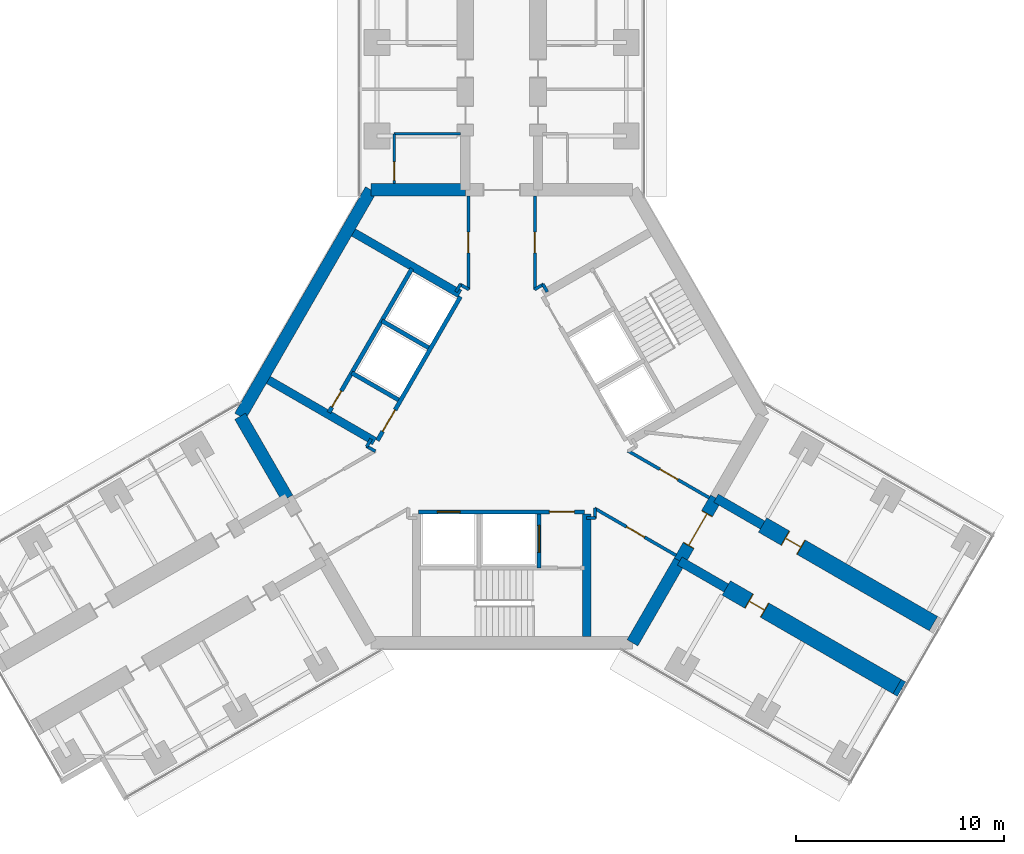
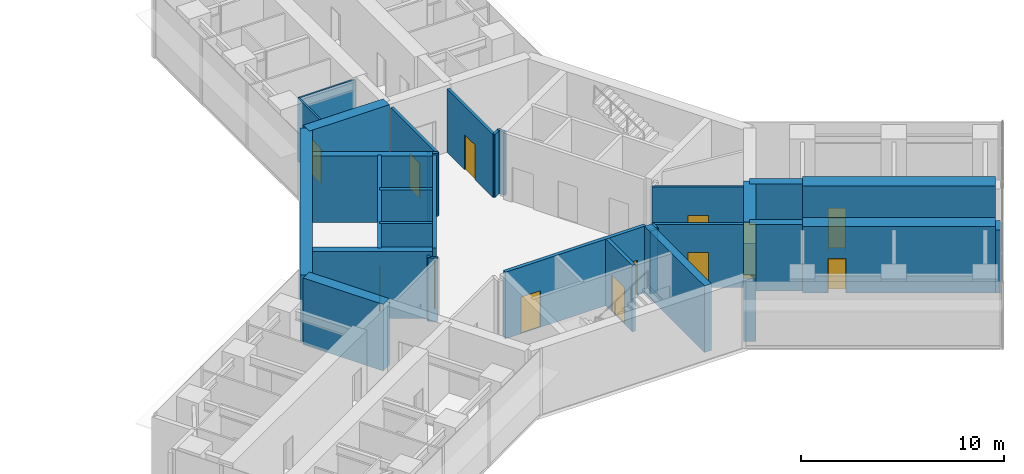
# One storey, part 19 of 23: 33 walls, 13 doors, 13 openings.
"""IFC4 building model written with IfcOpenShell, lengths in metres."""

import ifcopenshell
import ifcopenshell.guid

model = None  # the IFC model being written
_history = None  # IfcOwnerHistory: only IFC2X3 demands one
_inside = {}  # id of a spatial element -> (the spatial element, [elements in it])
_under = {}  # id of a project, library or spatial element -> (it, [spatial elements below it])
_declared = {}  # id of a project -> (the project, [libraries it declares])
_typed = {}  # id of a type object -> (the type object, [elements of that type])
_made_of = {}  # id of a material, layer set ... -> (it, [elements and type objects made of it])


def new_model(schema):
    """Start an empty IFC model of exactly this schema.

    Asked for "IFC4X3", IfcOpenShell would pick the latest addendum, in which some entities
    have other attributes; the version numbers below select the first issue.
    IFC2X3 requires an IfcOwnerHistory on every rooted entity: one is made here for all.
    """
    global model, _history
    if schema == "IFC4X3":
        model = ifcopenshell.file(schema_version=(4, 3, 0, 0))
    else:
        model = ifcopenshell.file(schema=schema)
    _inside.clear()
    _under.clear()
    _declared.clear()
    _typed.clear()
    _made_of.clear()
    _history = None
    if model.schema == "IFC2X3":
        org = make("IfcOrganization", Name="unknown")
        user = make(
            "IfcPersonAndOrganization",
            ThePerson=make("IfcPerson", FamilyName="unknown"),
            TheOrganization=org,
        )
        app = make(
            "IfcApplication",
            ApplicationDeveloper=org,
            Version="unknown",
            ApplicationFullName="unknown",
            ApplicationIdentifier="unknown",
        )
        _history = make(
            "IfcOwnerHistory",
            OwningUser=user,
            OwningApplication=app,
            ChangeAction="ADDED",
            CreationDate=0,
        )
    return model


def make(cls, **values):
    """One entity of the class cls with the attributes given. An attribute that is None is left unset."""
    return model.create_entity(
        cls, **{name: value for name, value in values.items() if value is not None}
    )


def rooted(cls, **values):
    """An entity with a GlobalId (a new one), such as an element, a storey or a relation."""
    return make(cls, GlobalId=ifcopenshell.guid.new(), OwnerHistory=_history, **values)


def si_unit(unit_type, name, prefix=None):
    """IfcSIUnit, for example si_unit("LENGTHUNIT", "METRE", prefix="MILLI")."""
    return make("IfcSIUnit", UnitType=unit_type, Prefix=prefix, Name=name)


def assignment(units):
    """IfcUnitAssignment: the units of a project."""
    return None if units is None else make("IfcUnitAssignment", Units=units)


def point(xyz):
    """IfcCartesianPoint."""
    return None if xyz is None else make("IfcCartesianPoint", Coordinates=xyz)


def direction(xyz):
    """IfcDirection."""
    return None if xyz is None else make("IfcDirection", DirectionRatios=xyz)


def frame(location, z_axis=None, x_axis=None):
    """IfcAxis2Placement3D, a coordinate frame: its origin and axes. An axis left out is left unset."""
    return make(
        "IfcAxis2Placement3D",
        Location=point(location),
        Axis=direction(z_axis),
        RefDirection=direction(x_axis),
    )


def frame_2d(location, x_axis=None):
    """IfcAxis2Placement2D, a coordinate frame in the plane: its origin and x axis."""
    return make(
        "IfcAxis2Placement2D", Location=point(location), RefDirection=direction(x_axis)
    )


def origin():
    """The frame at (0, 0, 0) with its axes left unset."""
    return frame((0.0, 0.0, 0.0))


def place(relative_to, where):
    """IfcLocalPlacement: puts the frame where relative to a parent placement (None: the world)."""
    return make(
        "IfcLocalPlacement", PlacementRelTo=relative_to, RelativePlacement=where
    )


def context(
    kind, dimensions, precision=None, world=None, true_north=None, identifier=None
):
    """IfcGeometricRepresentationContext, for example the 3D "Model" context."""
    return make(
        "IfcGeometricRepresentationContext",
        ContextIdentifier=identifier,
        ContextType=kind,
        CoordinateSpaceDimension=dimensions,
        Precision=precision,
        WorldCoordinateSystem=world,
        TrueNorth=true_north,
    )


def subcontext(parent, identifier, kind, view, scale=None):
    """IfcGeometricRepresentationSubContext, for example "Body" below "Model"."""
    return make(
        "IfcGeometricRepresentationSubContext",
        ContextIdentifier=identifier,
        ContextType=kind,
        ParentContext=parent,
        TargetScale=scale,
        TargetView=view,
    )


def project(units=None, contexts=None):
    """IfcProject with its units and contexts."""
    return rooted(
        "IfcProject",
        Name="project",
        RepresentationContexts=contexts,
        UnitsInContext=assignment(units),
    )


def spatial(cls, under=None, at=None, **own):
    """A site, building, storey or space (cls), placed at a placement, below another one or the project."""
    s = rooted(cls, ObjectPlacement=at, **own)
    if under is not None:
        _under.setdefault(under.id(), (under, []))[1].append(s)
    return s


def profile(cls, at=None, kind="AREA", **sizes):
    """A parametric profile (cls). Its sizes go by their IFC names, for example OverallWidth=200.0."""
    return make(cls, ProfileType=kind, Position=at, **sizes)


def rectangle(**sizes):
    """IfcRectangleProfileDef."""
    return profile("IfcRectangleProfileDef", **sizes)


def extrude(swept, where, along, depth):
    """IfcExtrudedAreaSolid: the profile swept, set in the frame where, extruded along a direction by depth."""
    return make(
        "IfcExtrudedAreaSolid",
        SweptArea=swept,
        Position=where,
        ExtrudedDirection=direction(along),
        Depth=depth,
    )


def shape(context_of_items, identifier, shape_type, items):
    """IfcShapeRepresentation: the items that make up one representation, for example the "Body"."""
    return make(
        "IfcShapeRepresentation",
        ContextOfItems=context_of_items,
        RepresentationIdentifier=identifier,
        RepresentationType=shape_type,
        Items=items,
    )


def material(Name=None, Category=None):
    """IfcMaterial."""
    return make("IfcMaterial", Name=Name, Category=Category)


def layer(
    of_material, thickness, ventilated=None, Name=None, Category=None, Priority=None
):
    """IfcMaterialLayer: one layer of a wall or slab, of a material (None: an air gap)."""
    return make(
        "IfcMaterialLayer",
        Material=of_material,
        LayerThickness=thickness,
        IsVentilated=ventilated,
        Name=Name,
        Category=Category,
        Priority=Priority,
    )


def layer_set(layers, Name=None):
    """IfcMaterialLayerSet."""
    return make("IfcMaterialLayerSet", MaterialLayers=layers, LayerSetName=Name)


def made_of(thing, what):
    """Note that an element or type object is made of a material, layer set ...; save() writes the relation."""
    if what is not None:
        _made_of.setdefault(what.id(), (what, []))[1].append(thing)
    return thing


def type_object(cls, material=None, **own):
    """A type object (cls), such as IfcWallType, which elements share."""
    return made_of(rooted(cls, **own), material)


def element(
    cls,
    number,
    at=None,
    inside=None,
    cuts=None,
    type_object=None,
    material=None,
    context=None,
    identifier="Body",
    shape_type=None,
    held_by="IfcProductDefinitionShape",
    body=None,
    shapes=None,
    **own,
):
    """One element of the class cls, such as IfcWall. Its Tag is "e" and its number.

    at: its placement. inside: the storey or other place that contains it. cuts: it is an
    opening in that element (IfcRelVoidsElement). A single representation is given by context,
    identifier, shape_type and body (its items); several are given by shapes. held_by: the class
    of the entity that holds the representations. save() writes the other relations.
    """
    e = rooted(cls, Tag="e%d" % number, ObjectPlacement=at, **own)
    if body is not None:
        shapes = [shape(context, identifier, shape_type, body)]
    if shapes is not None:
        e.Representation = make(held_by, Representations=shapes)
    if inside is not None:
        _inside.setdefault(inside.id(), (inside, []))[1].append(e)
    if cuts is not None:
        rooted(
            "IfcRelVoidsElement", RelatingBuildingElement=cuts, RelatedOpeningElement=e
        )
    if type_object is not None:
        _typed.setdefault(type_object.id(), (type_object, []))[1].append(e)
    return made_of(e, material)


def fill(opening, filler):
    """IfcRelFillsElement: the door or window that sits in an opening."""
    return rooted(
        "IfcRelFillsElement",
        RelatingOpeningElement=opening,
        RelatedBuildingElement=filler,
    )


def aggregate(whole, parts):
    """IfcRelAggregates: a whole, such as a stair, and the parts it consists of."""
    return rooted("IfcRelAggregates", RelatingObject=whole, RelatedObjects=parts)


def save(model, path):
    """Write the relations noted so far, then the file.

    IfcRelAggregates (storeys below a building ...), IfcRelContainedInSpatialStructure (elements
    in a storey), IfcRelDefinesByType, IfcRelAssociatesMaterial and IfcRelDeclares: one each for
    every whole, place, type object, material and project.
    """
    for whole, parts in _under.values():
        aggregate(whole, parts)
    for where, things in _inside.values():
        rooted(
            "IfcRelContainedInSpatialStructure",
            RelatedElements=things,
            RelatingStructure=where,
        )
    for kind, things in _typed.values():
        rooted("IfcRelDefinesByType", RelatedObjects=things, RelatingType=kind)
    for what, things in _made_of.values():
        rooted("IfcRelAssociatesMaterial", RelatedObjects=things, RelatingMaterial=what)
    for by, libraries in _declared.values():
        rooted("IfcRelDeclares", RelatingContext=by, RelatedDefinitions=libraries)
    model.write(path)


model = new_model("IFC4")

# Units and contexts
model_context = context("Model", 3, precision=1e-05, world=origin(), true_north=direction((0.0, 1.0)))
body_context = subcontext(model_context, "Body", "Model", "MODEL_VIEW")
ifc_project = project(units=[si_unit("LENGTHUNIT", "METRE"), si_unit("AREAUNIT", "SQUARE_METRE"), si_unit("VOLUMEUNIT", "CUBIC_METRE"), si_unit("PLANEANGLEUNIT", "RADIAN"), si_unit("MASSUNIT", "GRAM", prefix="KILO")], contexts=[model_context])

# Site, building, storey
site_placement = place(None, origin())
site = spatial("IfcSite", under=ifc_project, at=site_placement, CompositionType="ELEMENT")
building_placement = place(site_placement, origin())
building = spatial("IfcBuilding", under=site, at=building_placement, Name="Upepo Twin Towers", CompositionType="ELEMENT")
storey_placement = place(building_placement, frame((0.0, 0.0, 153.5)))
storey = spatial("IfcBuildingStorey", under=building, at=storey_placement, Name="L37", CompositionType="ELEMENT", Elevation=153.5)

# Walls
ifc_material_1 = material(Name="Dense concrete blockwork", Category="masonry")
ifc_layer_1 = layer(ifc_material_1, 0.800048828125)
ifc_layer_set_1 = layer_set([ifc_layer_1], Name="Buttress closer 800, blockwork with fire-stopping to the curtain wall")
wall_type_1 = type_object("IfcWallType", Name="Buttress closer 800, blockwork with fire-stopping to the curtain wall", PredefinedType="PARTITIONING", material=ifc_layer_set_1)
wall_1_placement = place(storey_placement, frame((77.543701171875, -31.015625, 0.0), z_axis=(0.0, 0.0, 1.0), x_axis=(0.865827443207, -0.500342721131, 0.0)))
element("IfcWall", 1, at=wall_1_placement, inside=storey, type_object=wall_type_1, Name="T2 L37 wing C buttress closer R", PredefinedType="PARTITIONING", context=body_context, shape_type="SweptSolid", body=[
    extrude(rectangle(XDim=0.249755859375, YDim=0.800048828125, at=frame_2d((0.125, 0.0))), origin(), (0.0, 0.0, 1.0), 3.800048828125),
])
ifc_material_2 = material(Name="Concrete C60/75", Category="concrete")
ifc_layer_2 = layer(ifc_material_2, 0.449951171875)
ifc_layer_set_2 = layer_set([ifc_layer_2], Name="Concrete C60/75")
wall_type_2 = type_object("IfcWallType", Name="Buttress wall 450 RC", PredefinedType="SHEAR", material=ifc_layer_set_2)
for number, where, z_axis, x_axis, name in (
    (2, (68.82177734375, -21.938720703125, 0.0), (0.0, 0.0, 1.0), (0.866072649678, -0.499918158782, 0.0), "T2 wing C buttress wall L"),
    (3, (67.07177734375, -24.9697265625, 0.0), (0.0, 0.0, 1.0), (0.866031863473, -0.499988811324, 0.0), "T2 wing C buttress wall R"),
):
    element("IfcWall", number, at=place(storey_placement, frame(where, z_axis=z_axis, x_axis=x_axis)), inside=storey, type_object=wall_type_2, Name=name, PredefinedType="SHEAR", context=body_context, shape_type="SweptSolid", body=[
        extrude(rectangle(XDim=2.591796875, YDim=0.449951171875, at=frame_2d((1.2958984375, 0.0))), origin(), (0.0, 0.0, 1.0), 4.0),
    ])

# Wall, opening, door
ifc_material_3 = material(Name="Concrete C60/75", Category="concrete")
ifc_layer_3 = layer(ifc_material_3, 0.800048828125)
ifc_layer_set_3 = layer_set([ifc_layer_3], Name="Concrete C60/75")
wall_type_3 = type_object("IfcWallType", Name="Buttress wall 800 RC", PredefinedType="SHEAR", material=ifc_layer_set_3)
wall_2_placement = place(storey_placement, frame((71.06640625, -23.234375, 0.0), z_axis=(0.0, 0.0, 1.0), x_axis=(0.86602681393, -0.499997557548, 0.0)))
wall_2 = element("IfcWall", 4, at=wall_2_placement, inside=storey, type_object=wall_type_3, Name="T2 wing C buttress wall L part 2", PredefinedType="SHEAR", context=body_context, shape_type="SweptSolid", body=[
    extrude(rectangle(XDim=9.5, YDim=0.800048828125, at=frame_2d((4.75, 0.0))), origin(), (0.0, 0.0, 1.0), 4.0),
])
opening_1_placement = place(wall_2_placement, frame((1.25, 0.0, 0.0)))
opening_1 = element("IfcOpeningElement", 5, at=opening_1_placement, cuts=wall_2, Name="Opening D14", PredefinedType="OPENING", context=body_context, shape_type="SweptSolid", body=[
    extrude(rectangle(XDim=0.89990234375, YDim=2.10009765625, at=frame_2d((0.449951171875, 1.050048828125))), frame((0.0, 0.409912109375, 0.0), z_axis=(0.0, -1.0, 0.0), x_axis=(1.0, 0.0, 0.0)), (0.0, 0.0, 1.0), 0.820068359375),
])
ifc_material_4 = material(Name="Timber doorset", Category="wood")
door_type_1 = type_object("IfcDoorType", Name="Office door 900 FD30", OperationType="SINGLE_SWING_LEFT", PredefinedType="DOOR", material=ifc_material_4)
door_1_placement = place(opening_1_placement, origin())
door_1 = element("IfcDoor", 6, at=door_1_placement, inside=storey, type_object=door_type_1, Name="T2 L37 staff office door", OperationType="SINGLE_SWING_LEFT", OverallHeight=2.10009765625, OverallWidth=0.89990234375, PredefinedType="DOOR", context=body_context, shape_type="SweptSolid", body=[
    extrude(rectangle(XDim=0.81990234375, YDim=2.06009765625, at=frame_2d((0.449951171875, 1.030029296875))), frame((0.0, 0.02490234375, 0.0), z_axis=(0.0, -1.0, 0.0), x_axis=(1.0, 0.0, 0.0)), (0.0, 0.0, 1.0), 0.050048828125),
    extrude(rectangle(XDim=0.04, YDim=2.10009765625, at=frame_2d((0.02001953125, 1.050048828125))), frame((0.0, 0.39990234375, 0.0), z_axis=(0.0, -1.0, 0.0), x_axis=(1.0, 0.0, 0.0)), (0.0, 0.0, 1.0), 0.799560546875),
    extrude(rectangle(XDim=0.04, YDim=2.10009765625, at=frame_2d((0.8798828125, 1.050048828125))), frame((0.0, 0.39990234375, 0.0), z_axis=(0.0, -1.0, 0.0), x_axis=(1.0, 0.0, 0.0)), (0.0, 0.0, 1.0), 0.799560546875),
    extrude(rectangle(XDim=0.81990234375, YDim=0.04, at=frame_2d((0.449951171875, 2.080078125))), frame((0.0, 0.39990234375, 0.0), z_axis=(0.0, -1.0, 0.0), x_axis=(1.0, 0.0, 0.0)), (0.0, 0.0, 1.0), 0.799560546875),
])
fill(opening_1, door_1)

wall_3_placement = place(storey_placement, frame((69.31640625, -26.265625, 0.0), z_axis=(0.0, 0.0, 1.0), x_axis=(0.86602681393, -0.499997557548, 0.0)))
wall_3 = element("IfcWall", 7, at=wall_3_placement, inside=storey, type_object=wall_type_3, Name="T2 wing C buttress wall R part 2", PredefinedType="SHEAR", context=body_context, shape_type="SweptSolid", body=[
    extrude(rectangle(XDim=9.5, YDim=0.800048828125, at=frame_2d((4.75, 0.0))), origin(), (0.0, 0.0, 1.0), 4.0),
])
opening_2_placement = place(wall_3_placement, frame((1.25, 0.0, 0.0)))
opening_2 = element("IfcOpeningElement", 8, at=opening_2_placement, cuts=wall_3, Name="Opening D14", PredefinedType="OPENING", context=body_context, shape_type="SweptSolid", body=[
    extrude(rectangle(XDim=0.89990234375, YDim=2.10009765625, at=frame_2d((0.449951171875, 1.050048828125))), frame((0.0, 0.409912109375, 0.0), z_axis=(0.0, -1.0, 0.0), x_axis=(1.0, 0.0, 0.0)), (0.0, 0.0, 1.0), 0.820068359375),
])
door_2_placement = place(opening_2_placement, origin())
door_2 = element("IfcDoor", 9, at=door_2_placement, inside=storey, type_object=door_type_1, Name="T2 L37 staff office door", OperationType="SINGLE_SWING_LEFT", OverallHeight=2.10009765625, OverallWidth=0.89990234375, PredefinedType="DOOR", context=body_context, shape_type="SweptSolid", body=[
    extrude(rectangle(XDim=0.81990234375, YDim=2.06009765625, at=frame_2d((0.449951171875, 1.030029296875))), frame((0.0, 0.02490234375, 0.0), z_axis=(0.0, -1.0, 0.0), x_axis=(1.0, 0.0, 0.0)), (0.0, 0.0, 1.0), 0.050048828125),
    extrude(rectangle(XDim=0.04, YDim=2.10009765625, at=frame_2d((0.02001953125, 1.050048828125))), frame((0.0, 0.39990234375, 0.0), z_axis=(0.0, -1.0, 0.0), x_axis=(1.0, 0.0, 0.0)), (0.0, 0.0, 1.0), 0.799560546875),
    extrude(rectangle(XDim=0.04, YDim=2.10009765625, at=frame_2d((0.8798828125, 1.050048828125))), frame((0.0, 0.39990234375, 0.0), z_axis=(0.0, -1.0, 0.0), x_axis=(1.0, 0.0, 0.0)), (0.0, 0.0, 1.0), 0.799560546875),
    extrude(rectangle(XDim=0.81990234375, YDim=0.04, at=frame_2d((0.449951171875, 2.080078125))), frame((0.0, 0.39990234375, 0.0), z_axis=(0.0, -1.0, 0.0), x_axis=(1.0, 0.0, 0.0)), (0.0, 0.0, 1.0), 0.799560546875),
])
fill(opening_2, door_2)

# Walls
ifc_material_5 = material(Name="Concrete C60/75", Category="concrete")
ifc_layer_4 = layer(ifc_material_5, 0.60009765625)
ifc_layer_set_4 = layer_set([ifc_layer_4], Name="Concrete C60/75")
wall_type_4 = type_object("IfcWallType", Name="Core wall 600 RC", PredefinedType="SHEAR", material=ifc_layer_set_4)
wall_4_placement = place(storey_placement, frame((56.75, -7.091552734375, 0.0), z_axis=(0.0, 0.0, 1.0), x_axis=(-1.0, 0.0, 0.0)))
element("IfcWall", 10, at=wall_4_placement, inside=storey, type_object=wall_type_4, Name="T2 core wall 000 L", PredefinedType="SHEAR", context=body_context, shape_type="SweptSolid", body=[
    extrude(rectangle(XDim=4.5478515625, YDim=0.60009765625, at=frame_2d((2.27392578125, 0.0))), origin(), (0.0, 0.0, 1.0), 4.0),
])
wall_5_placement = place(storey_placement, frame((52.2021484375, -7.091552734375, 0.0), z_axis=(0.0, 0.0, 1.0), x_axis=(-0.500005998175, -0.866021940709, 0.0)))
element("IfcWall", 11, at=wall_5_placement, inside=storey, type_object=wall_type_4, Name="T2 core wall 060", PredefinedType="SHEAR", context=body_context, shape_type="SweptSolid", body=[
    extrude(rectangle(XDim=12.595947265625, YDim=0.60009765625, at=frame_2d((6.2978515625, 0.0))), origin(), (0.0, 0.0, 1.0), 4.0),
])
for number, where, z_axis, x_axis, name in (
    (12, (45.904052734375, -18.0, 0.0), (0.0, 0.0, 1.0), (0.500024481964, -0.866011268655, 0.0), "T2 core wall 120 R"),
    (13, (64.7978515625, -28.908447265625, 0.0), (0.0, 0.0, 1.0), (0.499984222037, 0.866034513004, 0.0), "T2 core wall 240 R"),
):
    element("IfcWall", number, at=place(storey_placement, frame(where, z_axis=z_axis, x_axis=x_axis)), inside=storey, type_object=wall_type_4, Name=name, PredefinedType="SHEAR", context=body_context, shape_type="SweptSolid", body=[
        extrude(rectangle(XDim=4.548095703125, YDim=0.60009765625, at=frame_2d((2.27392578125, 0.0))), origin(), (0.0, 0.0, 1.0), 4.0),
    ])

# Wall, opening, door
wall_6_placement = place(storey_placement, frame((67.07177734375, -24.9697265625, 0.0), z_axis=(0.0, 0.0, 1.0), x_axis=(0.500010275428, 0.866019471182, 0.0)))
wall_6 = element("IfcWall", 14, at=wall_6_placement, inside=storey, type_object=wall_type_4, Name="T2 core wall 240", PredefinedType="SHEAR", context=body_context, shape_type="SweptSolid", body=[
    extrude(rectangle(XDim=3.5, YDim=0.60009765625, at=frame_2d((1.75, 0.0))), origin(), (0.0, 0.0, 1.0), 4.0),
])
opening_3_placement = place(wall_6_placement, frame((0.85009765625, 0.0, 0.0)))
opening_3 = element("IfcOpeningElement", 15, at=opening_3_placement, cuts=wall_6, Name="Opening D2", PredefinedType="OPENING", context=body_context, shape_type="SweptSolid", body=[
    extrude(rectangle(XDim=1.800048828125, YDim=2.10009765625, at=frame_2d((0.89990234375, 1.050048828125))), frame((0.0, 0.31005859375, 0.0), z_axis=(0.0, -1.0, 0.0), x_axis=(1.0, 0.0, 0.0)), (0.0, 0.0, 1.0), 0.6201171875),
])
ifc_material_6 = material(Name="Timber doorset", Category="wood")
door_type_2 = type_object("IfcDoorType", Name="Corridor double door 1800 FD60", OperationType="DOUBLE_DOOR_DOUBLE_SWING", PredefinedType="DOOR", material=ifc_material_6)
door_3_placement = place(opening_3_placement, origin())
door_3 = element("IfcDoor", 16, at=door_3_placement, inside=storey, type_object=door_type_2, Name="T2 L37 wing C corridor door", OperationType="DOUBLE_DOOR_DOUBLE_SWING", OverallHeight=2.10009765625, OverallWidth=1.800048828125, PredefinedType="DOOR", context=body_context, shape_type="SweptSolid", body=[
    extrude(rectangle(XDim=1.720048828125, YDim=2.06009765625, at=frame_2d((0.89990234375, 1.030029296875))), frame((0.0, 0.02490234375, 0.0), z_axis=(0.0, -1.0, 0.0), x_axis=(1.0, 0.0, 0.0)), (0.0, 0.0, 1.0), 0.050048828125),
    extrude(rectangle(XDim=0.04, YDim=2.10009765625, at=frame_2d((0.02001953125, 1.050048828125))), frame((0.0, 0.2998046875, 0.0), z_axis=(0.0, -1.0, 0.0), x_axis=(1.0, 0.0, 0.0)), (0.0, 0.0, 1.0), 0.599609375),
    extrude(rectangle(XDim=0.04, YDim=2.10009765625, at=frame_2d((1.780029296875, 1.050048828125))), frame((0.0, 0.2998046875, 0.0), z_axis=(0.0, -1.0, 0.0), x_axis=(1.0, 0.0, 0.0)), (0.0, 0.0, 1.0), 0.599609375),
    extrude(rectangle(XDim=1.720048828125, YDim=0.04, at=frame_2d((0.89990234375, 2.080078125))), frame((0.0, 0.2998046875, 0.0), z_axis=(0.0, -1.0, 0.0), x_axis=(1.0, 0.0, 0.0)), (0.0, 0.0, 1.0), 0.599609375),
])
fill(opening_3, door_3)

ifc_material_7 = material(Name="Gypsum board on steel studs", Category="steel")
ifc_layer_5 = layer(ifc_material_7, 0.10009765625)
ifc_layer_set_5 = layer_set([ifc_layer_5], Name="Office partition 100 stud")
wall_type_5 = type_object("IfcWallType", Name="Office partition 100 stud", PredefinedType="PARTITIONING", material=ifc_layer_set_5)
wall_7_placement = place(storey_placement, frame((53.324951171875, -6.7919921875, 0.0), z_axis=(0.0, 0.0, 1.0), x_axis=(0.0, 1.0, 0.0)))
wall_7 = element("IfcWall", 17, at=wall_7_placement, inside=storey, type_object=wall_type_5, Name="T2 WC bay partition AL at 11.21", PredefinedType="PARTITIONING", context=body_context, shape_type="SweptSolid", body=[
    extrude(rectangle(XDim=2.39990234375, YDim=0.10009765625, at=frame_2d((1.199951171875, 0.0))), origin(), (0.0, 0.0, 1.0), 3.800048828125),
])
opening_4_placement = place(wall_7_placement, frame((0.14990234375, 0.0, 0.0)))
opening_4 = element("IfcOpeningElement", 18, at=opening_4_placement, cuts=wall_7, Name="Opening D14", PredefinedType="OPENING", context=body_context, shape_type="SweptSolid", body=[
    extrude(rectangle(XDim=0.89990234375, YDim=2.10009765625, at=frame_2d((0.449951171875, 1.050048828125))), frame((0.0, 0.06005859375, 0.0), z_axis=(0.0, -1.0, 0.0), x_axis=(1.0, 0.0, 0.0)), (0.0, 0.0, 1.0), 0.1201171875),
])
door_4_placement = place(opening_4_placement, origin())
door_4 = element("IfcDoor", 19, at=door_4_placement, inside=storey, type_object=door_type_1, Name="T2 L37 WC bay inner room door", OperationType="SINGLE_SWING_LEFT", OverallHeight=2.10009765625, OverallWidth=0.89990234375, PredefinedType="DOOR", context=body_context, shape_type="SweptSolid", body=[
    extrude(rectangle(XDim=0.89990234375, YDim=2.10009765625, at=frame_2d((0.449951171875, 1.050048828125))), frame((0.0, 0.02490234375, 0.0), z_axis=(0.0, -1.0, 0.0), x_axis=(1.0, 0.0, 0.0)), (0.0, 0.0, 1.0), 0.050048828125),
])
fill(opening_4, door_4)

# Wall
wall_8_placement = place(storey_placement, frame((56.52490234375, -4.39208984375, 0.0), z_axis=(0.0, 0.0, 1.0), x_axis=(-1.0, 0.0, 0.0)))
element("IfcWall", 20, at=wall_8_placement, inside=storey, type_object=wall_type_5, Name="T2 WC bay partition AL end at 13.61", PredefinedType="PARTITIONING", context=body_context, shape_type="SweptSolid", body=[
    extrude(rectangle(XDim=3.199951171875, YDim=0.10009765625, at=frame_2d((1.60009765625, 0.0))), origin(), (0.0, 0.0, 1.0), 3.800048828125),
])

# Wall, opening, door
ifc_material_8 = material(Name="Concrete C40/50", Category="concrete")
ifc_layer_6 = layer(ifc_material_8, 0.199951171875)
ifc_layer_set_6 = layer_set([ifc_layer_6], Name="Concrete C40/50")
wall_type_6 = type_object("IfcWallType", Name="Shaft wall 200 RC", PredefinedType="SHEAR", material=ifc_layer_set_6)
wall_9_placement = place(storey_placement, frame((56.516357421875, -12.23583984375, 0.0), z_axis=(0.0, 0.0, 1.0), x_axis=(-0.49999894854, -0.866026010844, 0.0)))
wall_9 = element("IfcWall", 21, at=wall_9_placement, inside=storey, type_object=wall_type_6, Name="T2 core W60 front wall", PredefinedType="SHEAR", context=body_context, shape_type="SweptSolid", body=[
    extrude(rectangle(XDim=8.0, YDim=0.199951171875, at=frame_2d((4.0, 0.0))), origin(), (0.0, 0.0, 1.0), 4.0),
])
opening_5_placement = place(wall_9_placement, frame((6.300048828125, 0.0, 0.0)))
opening_5 = element("IfcOpeningElement", 22, at=opening_5_placement, cuts=wall_9, Name="Opening D4", PredefinedType="OPENING", context=body_context, shape_type="SweptSolid", body=[
    extrude(rectangle(XDim=1.199951171875, YDim=2.10009765625, at=frame_2d((0.60009765625, 1.050048828125))), frame((0.0, 0.10986328125, 0.0), z_axis=(0.0, -1.0, 0.0), x_axis=(1.0, 0.0, 0.0)), (0.0, 0.0, 1.0), 0.219970703125),
])
ifc_material_9 = material(Name="Timber doorset", Category="wood")
door_type_3 = type_object("IfcDoorType", Name="Lobby door 1200 FD60", OperationType="SINGLE_SWING_LEFT", PredefinedType="DOOR", material=ifc_material_9)
door_5_placement = place(opening_5_placement, origin())
door_5 = element("IfcDoor", 23, at=door_5_placement, inside=storey, type_object=door_type_3, Name="T2 L37 W60 lobby door", OperationType="SINGLE_SWING_RIGHT", OverallHeight=2.10009765625, OverallWidth=1.199951171875, PredefinedType="DOOR", context=body_context, shape_type="SweptSolid", body=[
    extrude(rectangle(XDim=1.199951171875, YDim=2.10009765625, at=frame_2d((0.60009765625, 1.050048828125))), frame((0.0, 0.02490234375, 0.0), z_axis=(0.0, -1.0, 0.0), x_axis=(1.0, 0.0, 0.0)), (0.0, 0.0, 1.0), 0.050048828125),
])
fill(opening_5, door_5)

# Walls
for number, where, z_axis, x_axis, name in (
    (24, (54.979736328125, -14.697265625, 0.0), (0.0, 0.0, 1.0), (-0.866062058628, 0.499936506574, 0.0), "T2 core W60 shaft divider"),
    (25, (53.52978515625, -17.208740234375, 0.0), (0.0, 0.0, 1.0), (-0.866062058628, 0.499936506574, 0.0), "T2 core W60 lobby wall"),
):
    element("IfcWall", number, at=place(storey_placement, frame(where, z_axis=z_axis, x_axis=x_axis)), inside=storey, type_object=wall_type_6, Name=name, PredefinedType="SHEAR", context=body_context, shape_type="SweptSolid", body=[
        extrude(rectangle(XDim=2.599853515625, YDim=0.199951171875, at=frame_2d((1.2998046875, 0.0))), origin(), (0.0, 0.0, 1.0), 4.0),
    ])

# Wall, opening, door
wall_10_placement = place(storey_placement, frame((54.177978515625, -10.885986328125, 0.0), z_axis=(0.0, 0.0, 1.0), x_axis=(-0.49999894854, -0.866026010844, 0.0)))
wall_10 = element("IfcWall", 26, at=wall_10_placement, inside=storey, type_object=wall_type_6, Name="T2 core W60 stair wall", PredefinedType="SHEAR", context=body_context, shape_type="SweptSolid", body=[
    extrude(rectangle(XDim=8.0, YDim=0.199951171875, at=frame_2d((4.0, 0.0))), origin(), (0.0, 0.0, 1.0), 4.0),
])
opening_6_placement = place(wall_10_placement, frame((6.800048828125, 0.0, 0.0)))
opening_6 = element("IfcOpeningElement", 27, at=opening_6_placement, cuts=wall_10, Name="Opening D9", PredefinedType="OPENING", context=body_context, shape_type="SweptSolid", body=[
    extrude(rectangle(XDim=0.89990234375, YDim=2.10009765625, at=frame_2d((0.449951171875, 1.050048828125))), frame((0.0, 0.10986328125, 0.0), z_axis=(0.0, -1.0, 0.0), x_axis=(1.0, 0.0, 0.0)), (0.0, 0.0, 1.0), 0.219970703125),
])
ifc_material_10 = material(Name="Timber doorset", Category="wood")
door_type_4 = type_object("IfcDoorType", Name="Riser door 900 FD60", OperationType="SINGLE_SWING_LEFT", PredefinedType="DOOR", material=ifc_material_10)
door_6_placement = place(opening_6_placement, origin())
door_6 = element("IfcDoor", 28, at=door_6_placement, inside=storey, type_object=door_type_4, Name="T2 L37 riser door", OperationType="SINGLE_SWING_RIGHT", OverallHeight=2.10009765625, OverallWidth=0.89990234375, PredefinedType="DOOR", context=body_context, shape_type="SweptSolid", body=[
    extrude(rectangle(XDim=0.89990234375, YDim=2.10009765625, at=frame_2d((0.449951171875, 1.050048828125))), frame((0.0, 0.02490234375, 0.0), z_axis=(0.0, -1.0, 0.0), x_axis=(1.0, 0.0, 0.0)), (0.0, 0.0, 1.0), 0.050048828125),
])
fill(opening_6, door_6)

# Wall, openings, doors
wall_11_placement = place(storey_placement, frame((54.5, -22.60009765625, 0.0), z_axis=(0.0, 0.0, 1.0), x_axis=(1.0, 0.0, 0.0)))
wall_11 = element("IfcWall", 29, at=wall_11_placement, inside=storey, type_object=wall_type_6, Name="T2 core W180 front wall", PredefinedType="SHEAR", context=body_context, shape_type="SweptSolid", body=[
    extrude(rectangle(XDim=8.0, YDim=0.199951171875, at=frame_2d((4.0, 0.0))), origin(), (0.0, 0.0, 1.0), 4.0),
])
opening_7_placement = place(wall_11_placement, frame((6.300048828125, 0.0, 0.0)))
opening_7 = element("IfcOpeningElement", 30, at=opening_7_placement, cuts=wall_11, Name="Opening D4", PredefinedType="OPENING", context=body_context, shape_type="SweptSolid", body=[
    extrude(rectangle(XDim=1.199951171875, YDim=2.10009765625, at=frame_2d((0.60009765625, 1.050048828125))), frame((0.0, 0.10986328125, 0.0), z_axis=(0.0, -1.0, 0.0), x_axis=(1.0, 0.0, 0.0)), (0.0, 0.0, 1.0), 0.219970703125),
])
opening_8_placement = place(wall_11_placement, frame((0.89990234375, 0.0, 0.0)))
opening_8 = element("IfcOpeningElement", 31, at=opening_8_placement, cuts=wall_11, Name="Opening LD1", PredefinedType="OPENING", context=body_context, shape_type="SweptSolid", body=[
    extrude(rectangle(XDim=1.10009765625, YDim=2.199951171875, at=frame_2d((0.550048828125, 1.10009765625))), frame((0.0, 0.10986328125, 0.0), z_axis=(0.0, -1.0, 0.0), x_axis=(1.0, 0.0, 0.0)), (0.0, 0.0, 1.0), 0.219970703125),
])
ifc_material_11 = material(Name="Steel doorset", Category="steel")
door_type_5 = type_object("IfcDoorType", Name="Lift landing door 1100", OperationType="DOUBLE_DOOR_SLIDING", PredefinedType="DOOR", material=ifc_material_11)
door_7_placement = place(opening_8_placement, origin())
door_7 = element("IfcDoor", 32, at=door_7_placement, inside=storey, type_object=door_type_5, Name="T2 L37 lift SV1 landing door", OperationType="DOUBLE_DOOR_SLIDING", OverallHeight=2.199951171875, OverallWidth=1.10009765625, PredefinedType="DOOR", context=body_context, shape_type="SweptSolid", body=[
    extrude(rectangle(XDim=1.10009765625, YDim=2.199951171875, at=frame_2d((0.550048828125, 1.10009765625))), frame((0.0, 0.02490234375, 0.0), z_axis=(0.0, -1.0, 0.0), x_axis=(1.0, 0.0, 0.0)), (0.0, 0.0, 1.0), 0.050048828125),
])
fill(opening_8, door_7)
door_8_placement = place(opening_7_placement, origin())
door_8 = element("IfcDoor", 33, at=door_8_placement, inside=storey, type_object=door_type_3, Name="T2 L37 W180 lobby door", OperationType="SINGLE_SWING_RIGHT", OverallHeight=2.10009765625, OverallWidth=1.199951171875, PredefinedType="DOOR", context=body_context, shape_type="SweptSolid", body=[
    extrude(rectangle(XDim=1.199951171875, YDim=2.10009765625, at=frame_2d((0.60009765625, 1.050048828125))), frame((0.0, 0.02490234375, 0.0), z_axis=(0.0, -1.0, 0.0), x_axis=(1.0, 0.0, 0.0)), (0.0, 0.0, 1.0), 0.050048828125),
])
fill(opening_7, door_8)

# Wall, opening, door
wall_12_placement = place(storey_placement, frame((60.300048828125, -22.699951171875, 0.0), z_axis=(0.0, 0.0, 1.0), x_axis=(0.0, -1.0, 0.0)))
wall_12 = element("IfcWall", 34, at=wall_12_placement, inside=storey, type_object=wall_type_6, Name="T2 core W180 lobby wall", PredefinedType="SHEAR", context=body_context, shape_type="SweptSolid", body=[
    extrude(rectangle(XDim=2.60009765625, YDim=0.199951171875, at=frame_2d((1.300048828125, 0.0))), origin(), (0.0, 0.0, 1.0), 4.0),
])
opening_9_placement = place(wall_12_placement, frame((0.550048828125, 0.0, 0.0)))
opening_9 = element("IfcOpeningElement", 35, at=opening_9_placement, cuts=wall_12, Name="Opening LD2", PredefinedType="OPENING", context=body_context, shape_type="SweptSolid", body=[
    extrude(rectangle(XDim=1.300048828125, YDim=2.199951171875, at=frame_2d((0.64990234375, 1.10009765625))), frame((0.0, 0.10986328125, 0.0), z_axis=(0.0, -1.0, 0.0), x_axis=(1.0, 0.0, 0.0)), (0.0, 0.0, 1.0), 0.219970703125),
])
ifc_material_12 = material(Name="Steel doorset", Category="steel")
door_type_6 = type_object("IfcDoorType", Name="Firefighting lift landing door 1300", OperationType="DOUBLE_DOOR_SLIDING", PredefinedType="DOOR", material=ifc_material_12)
door_9_placement = place(opening_9_placement, origin())
door_9 = element("IfcDoor", 36, at=door_9_placement, inside=storey, type_object=door_type_6, Name="T2 L37 firefighting lift landing door", OperationType="DOUBLE_DOOR_SLIDING", OverallHeight=2.199951171875, OverallWidth=1.300048828125, PredefinedType="DOOR", context=body_context, shape_type="SweptSolid", body=[
    extrude(rectangle(XDim=1.300048828125, YDim=2.199951171875, at=frame_2d((0.64990234375, 1.10009765625))), frame((0.0, 0.02490234375, 0.0), z_axis=(0.0, -1.0, 0.0), x_axis=(1.0, 0.0, 0.0)), (0.0, 0.0, 1.0), 0.050048828125),
])
fill(opening_9, door_9)

# Walls
ifc_material_13 = material(Name="Concrete C40/50", Category="concrete")
ifc_layer_7 = layer(ifc_material_13, 0.39990234375)
ifc_layer_set_7 = layer_set([ifc_layer_7], Name="Concrete C40/50")
wall_type_7 = type_object("IfcWallType", Name="Shaft wall 400 RC", PredefinedType="SHEAR", material=ifc_layer_set_7)
wall_13_placement = place(storey_placement, frame((52.379638671875, -19.20068359375, 0.0), z_axis=(0.0, 0.0, 1.0), x_axis=(-0.866027317282, 0.49999668571, 0.0)))
element("IfcWall", 37, at=wall_13_placement, inside=storey, type_object=wall_type_7, Name="T2 core W60 side wall N", PredefinedType="SHEAR", context=body_context, shape_type="SweptSolid", body=[
    extrude(rectangle(XDim=5.908203125, YDim=0.39990234375, at=frame_2d((2.9541015625, 0.0))), origin(), (0.0, 0.0, 1.0), 4.0),
])
for number, where, z_axis, x_axis, name in (
    (38, (56.479736328125, -12.099365234375, 0.0), (0.0, 0.0, 1.0), (-0.866009424208, 0.500027676417, 0.0), "T2 core W60 side wall S"),
    (39, (62.60009765625, -22.699951171875, 0.0), (0.0, 0.0, 1.0), (0.0, -1.0, 0.0), "T2 core W180 side wall N"),
):
    element("IfcWall", number, at=place(storey_placement, frame(where, z_axis=z_axis, x_axis=x_axis)), inside=storey, type_object=wall_type_7, Name=name, PredefinedType="SHEAR", context=body_context, shape_type="SweptSolid", body=[
        extrude(rectangle(XDim=5.908447265625, YDim=0.39990234375, at=frame_2d((2.9541015625, 0.0))), origin(), (0.0, 0.0, 1.0), 4.0),
    ])
ifc_material_14 = material(Name="Gypsum board on steel studs", Category="steel")
ifc_layer_8 = layer(ifc_material_14, 0.14990234375)
ifc_layer_set_8 = layer_set([ifc_layer_8], Name="Teaching partition 150 acoustic")
wall_type_8 = type_object("IfcWallType", Name="Teaching partition 150 acoustic", PredefinedType="PARTITIONING", material=ifc_layer_set_8)
wall_14_placement = place(storey_placement, frame((52.417236328125, -19.684326171875, 0.0), z_axis=(0.0, 0.0, 1.0), x_axis=(-0.865831790172, 0.50033519877, 0.0)))
element("IfcWall", 40, at=wall_14_placement, inside=storey, type_object=wall_type_8, Name="T2 core room partition 4", PredefinedType="PARTITIONING", context=body_context, shape_type="SweptSolid", body=[
    extrude(rectangle(XDim=0.494384765625, YDim=0.14990234375, at=frame_2d((0.2470703125, 0.0))), origin(), (0.0, 0.0, 1.0), 3.800048828125),
])
for number, where, z_axis, x_axis, name in (
    (41, (51.99658203125, -19.46435546875, 0.0), (0.0, 0.0, 1.0), (0.499804398801, 0.866138304741, 0.0), "T2 core room partition 5"),
    (42, (56.301513671875, -12.0078125, 0.0), (0.0, 0.0, 1.0), (0.500230298122, 0.865892400268, 0.0), "T2 core room partition 6"),
):
    element("IfcWall", number, at=place(storey_placement, frame(where, z_axis=z_axis, x_axis=x_axis)), inside=storey, type_object=wall_type_8, Name=name, PredefinedType="PARTITIONING", context=body_context, shape_type="SweptSolid", body=[
        extrude(rectangle(XDim=0.429931640625, YDim=0.14990234375, at=frame_2d((0.21484375, 0.0))), origin(), (0.0, 0.0, 1.0), 3.800048828125),
    ])
wall_15_placement = place(storey_placement, frame((56.4892578125, -11.642822265625, 0.0), z_axis=(0.0, 0.0, 1.0), x_axis=(0.865831790172, -0.50033519877, 0.0)))
element("IfcWall", 43, at=wall_15_placement, inside=storey, type_object=wall_type_8, Name="T2 core room partition 7", PredefinedType="PARTITIONING", context=body_context, shape_type="SweptSolid", body=[
    extrude(rectangle(XDim=0.494384765625, YDim=0.14990234375, at=frame_2d((0.2470703125, 0.0))), origin(), (0.0, 0.0, 1.0), 3.800048828125),
])

# Wall, opening, door
wall_16_placement = place(storey_placement, frame((56.89990234375, -11.900146484375, 0.0), z_axis=(0.0, 0.0, 1.0), x_axis=(0.0, 1.0, 0.0)))
wall_16 = element("IfcWall", 44, at=wall_16_placement, inside=storey, type_object=wall_type_8, Name="T2 core room partition 8", PredefinedType="PARTITIONING", context=body_context, shape_type="SweptSolid", body=[
    extrude(rectangle(XDim=4.5185546875, YDim=0.14990234375, at=frame_2d((2.25927734375, 0.0))), origin(), (0.0, 0.0, 1.0), 3.800048828125),
])
opening_10_placement = place(wall_16_placement, frame((1.769287109375, 0.0, 0.0)))
opening_10 = element("IfcOpeningElement", 45, at=opening_10_placement, cuts=wall_16, Name="Opening D1", PredefinedType="OPENING", context=body_context, shape_type="SweptSolid", body=[
    extrude(rectangle(XDim=1.0, YDim=2.10009765625, at=frame_2d((0.5, 1.050048828125))), frame((0.0, 0.0849609375, 0.0), z_axis=(0.0, -1.0, 0.0), x_axis=(1.0, 0.0, 0.0)), (0.0, 0.0, 1.0), 0.169921875),
])
ifc_material_15 = material(Name="Timber doorset", Category="wood")
door_type_7 = type_object("IfcDoorType", Name="Room door 1000 FD30", OperationType="SINGLE_SWING_LEFT", PredefinedType="DOOR", material=ifc_material_15)
door_10_placement = place(opening_10_placement, origin())
door_10 = element("IfcDoor", 46, at=door_10_placement, inside=storey, type_object=door_type_7, Name="T2 L37 core room door K7", OperationType="SINGLE_SWING_RIGHT", OverallHeight=2.10009765625, OverallWidth=1.0, PredefinedType="DOOR", context=body_context, shape_type="SweptSolid", body=[
    extrude(rectangle(XDim=1.0, YDim=2.10009765625, at=frame_2d((0.5, 1.050048828125))), frame((0.0, 0.02490234375, 0.0), z_axis=(0.0, -1.0, 0.0), x_axis=(1.0, 0.0, 0.0)), (0.0, 0.0, 1.0), 0.050048828125),
])
fill(opening_10, door_10)

wall_17_placement = place(storey_placement, frame((60.10009765625, -7.381591796875, 0.0), z_axis=(0.0, 0.0, 1.0), x_axis=(0.0, -1.0, 0.0)))
wall_17 = element("IfcWall", 47, at=wall_17_placement, inside=storey, type_object=wall_type_8, Name="T2 core room partition 9", PredefinedType="PARTITIONING", context=body_context, shape_type="SweptSolid", body=[
    extrude(rectangle(XDim=4.5185546875, YDim=0.14990234375, at=frame_2d((2.25927734375, 0.0))), origin(), (0.0, 0.0, 1.0), 3.800048828125),
])
opening_11_placement = place(wall_17_placement, frame((1.7490234375, 0.0, 0.0)))
opening_11 = element("IfcOpeningElement", 48, at=opening_11_placement, cuts=wall_17, Name="Opening D1", PredefinedType="OPENING", context=body_context, shape_type="SweptSolid", body=[
    extrude(rectangle(XDim=1.0, YDim=2.10009765625, at=frame_2d((0.5, 1.050048828125))), frame((0.0, 0.0849609375, 0.0), z_axis=(0.0, -1.0, 0.0), x_axis=(1.0, 0.0, 0.0)), (0.0, 0.0, 1.0), 0.169921875),
])
door_11_placement = place(opening_11_placement, origin())
door_11 = element("IfcDoor", 49, at=door_11_placement, inside=storey, type_object=door_type_7, Name="T2 L37 core room door K6", OperationType="SINGLE_SWING_LEFT", OverallHeight=2.10009765625, OverallWidth=1.0, PredefinedType="DOOR", context=body_context, shape_type="SweptSolid", body=[
    extrude(rectangle(XDim=1.0, YDim=2.10009765625, at=frame_2d((0.5, 1.050048828125))), frame((0.0, 0.02490234375, 0.0), z_axis=(0.0, -1.0, 0.0), x_axis=(1.0, 0.0, 0.0)), (0.0, 0.0, 1.0), 0.050048828125),
])
fill(opening_11, door_11)

# Walls
wall_18_placement = place(storey_placement, frame((60.082763671875, -11.89013671875, 0.0), z_axis=(0.0, 0.0, 1.0), x_axis=(0.865831790172, 0.50033519877, 0.0)))
element("IfcWall", 50, at=wall_18_placement, inside=storey, type_object=wall_type_8, Name="T2 core room partition 10", PredefinedType="PARTITIONING", context=body_context, shape_type="SweptSolid", body=[
    extrude(rectangle(XDim=0.494384765625, YDim=0.14990234375, at=frame_2d((0.2470703125, 0.0))), origin(), (0.0, 0.0, 1.0), 3.800048828125),
])
wall_19_placement = place(storey_placement, frame((60.4833984375, -11.635498046875, 0.0), z_axis=(0.0, 0.0, 1.0), x_axis=(0.500230298122, -0.865892400268, 0.0)))
element("IfcWall", 51, at=wall_19_placement, inside=storey, type_object=wall_type_8, Name="T2 core room partition 11", PredefinedType="PARTITIONING", context=body_context, shape_type="SweptSolid", body=[
    extrude(rectangle(XDim=0.429931640625, YDim=0.14990234375, at=frame_2d((0.21484375, 0.0))), origin(), (0.0, 0.0, 1.0), 3.800048828125),
])

# Wall, opening, door
wall_20_placement = place(storey_placement, frame((64.582763671875, -19.664306640625, 0.0), z_axis=(0.0, 0.0, 1.0), x_axis=(0.866006515865, -0.500032713409, 0.0)))
wall_20 = element("IfcWall", 52, at=wall_20_placement, inside=storey, type_object=wall_type_8, Name="T2 core room partition 14", PredefinedType="PARTITIONING", context=body_context, shape_type="SweptSolid", body=[
    extrude(rectangle(XDim=4.518310546875, YDim=0.14990234375, at=frame_2d((2.25927734375, 0.0))), origin(), (0.0, 0.0, 1.0), 3.800048828125),
])
opening_12_placement = place(wall_20_placement, frame((1.769287109375, 0.0, 0.0)))
opening_12 = element("IfcOpeningElement", 53, at=opening_12_placement, cuts=wall_20, Name="Opening D1", PredefinedType="OPENING", context=body_context, shape_type="SweptSolid", body=[
    extrude(rectangle(XDim=1.0, YDim=2.10009765625, at=frame_2d((0.5, 1.050048828125))), frame((0.0, 0.0849609375, 0.0), z_axis=(0.0, -1.0, 0.0), x_axis=(1.0, 0.0, 0.0)), (0.0, 0.0, 1.0), 0.169921875),
])
door_12_placement = place(opening_12_placement, origin())
door_12 = element("IfcDoor", 54, at=door_12_placement, inside=storey, type_object=door_type_7, Name="T2 L37 core room door K4", OperationType="SINGLE_SWING_RIGHT", OverallHeight=2.10009765625, OverallWidth=1.0, PredefinedType="DOOR", context=body_context, shape_type="SweptSolid", body=[
    extrude(rectangle(XDim=1.0, YDim=2.10009765625, at=frame_2d((0.5, 1.050048828125))), frame((0.0, 0.02490234375, 0.0), z_axis=(0.0, -1.0, 0.0), x_axis=(1.0, 0.0, 0.0)), (0.0, 0.0, 1.0), 0.050048828125),
])
fill(opening_12, door_12)

wall_21_placement = place(storey_placement, frame((66.895751953125, -24.69482421875, 0.0), z_axis=(0.0, 0.0, 1.0), x_axis=(-0.86602002524, 0.500009315796, 0.0)))
wall_21 = element("IfcWall", 55, at=wall_21_placement, inside=storey, type_object=wall_type_8, Name="T2 core room partition 15", PredefinedType="PARTITIONING", context=body_context, shape_type="SweptSolid", body=[
    extrude(rectangle(XDim=4.5185546875, YDim=0.14990234375, at=frame_2d((2.25927734375, 0.0))), origin(), (0.0, 0.0, 1.0), 3.800048828125),
])
opening_13_placement = place(wall_21_placement, frame((1.7490234375, 0.0, 0.0)))
opening_13 = element("IfcOpeningElement", 56, at=opening_13_placement, cuts=wall_21, Name="Opening D1", PredefinedType="OPENING", context=body_context, shape_type="SweptSolid", body=[
    extrude(rectangle(XDim=1.0, YDim=2.10009765625, at=frame_2d((0.5, 1.050048828125))), frame((0.0, 0.0849609375, 0.0), z_axis=(0.0, -1.0, 0.0), x_axis=(1.0, 0.0, 0.0)), (0.0, 0.0, 1.0), 0.169921875),
])
door_13_placement = place(opening_13_placement, origin())
door_13 = element("IfcDoor", 57, at=door_13_placement, inside=storey, type_object=door_type_7, Name="T2 L37 core room door K3", OperationType="SINGLE_SWING_LEFT", OverallHeight=2.10009765625, OverallWidth=1.0, PredefinedType="DOOR", context=body_context, shape_type="SweptSolid", body=[
    extrude(rectangle(XDim=1.0, YDim=2.10009765625, at=frame_2d((0.5, 1.050048828125))), frame((0.0, 0.02490234375, 0.0), z_axis=(0.0, -1.0, 0.0), x_axis=(1.0, 0.0, 0.0)), (0.0, 0.0, 1.0), 0.050048828125),
])
fill(opening_13, door_13)

# Walls
wall_22_placement = place(storey_placement, frame((63.0, -22.425537109375, 0.0), z_axis=(0.0, 0.0, 1.0), x_axis=(0.0, -1.0, 0.0)))
element("IfcWall", 58, at=wall_22_placement, inside=storey, type_object=wall_type_8, Name="T2 core room partition 16", PredefinedType="PARTITIONING", context=body_context, shape_type="SweptSolid", body=[
    extrude(rectangle(XDim=0.494384765625, YDim=0.14990234375, at=frame_2d((0.2470703125, 0.0))), origin(), (0.0, 0.0, 1.0), 3.800048828125),
])
wall_23_placement = place(storey_placement, frame((63.02001953125, -22.89990234375, 0.0), z_axis=(0.0, 0.0, 1.0), x_axis=(-1.0, 0.0, 0.0)))
element("IfcWall", 59, at=wall_23_placement, inside=storey, type_object=wall_type_8, Name="T2 core room partition 17", PredefinedType="PARTITIONING", context=body_context, shape_type="SweptSolid", body=[
    extrude(rectangle(XDim=0.429931640625, YDim=0.14990234375, at=frame_2d((0.21484375, 0.0))), origin(), (0.0, 0.0, 1.0), 3.800048828125),
])

save(model, "model.ifc")
